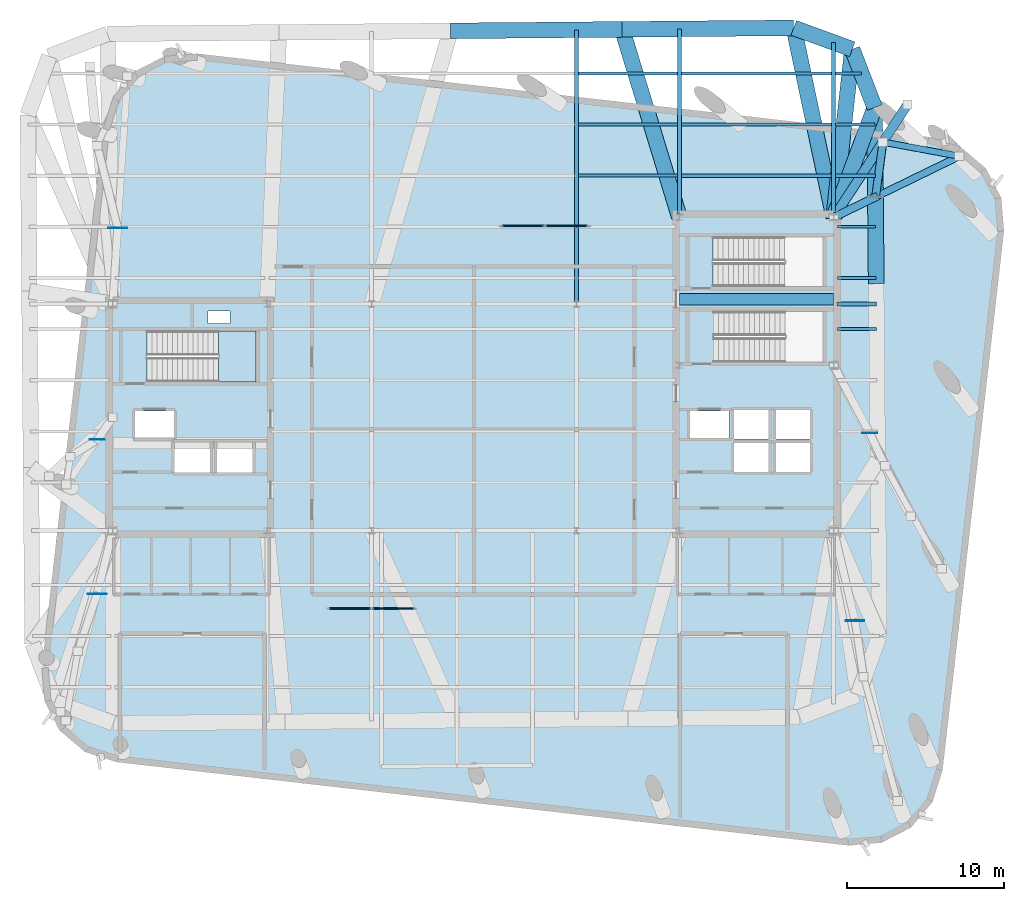
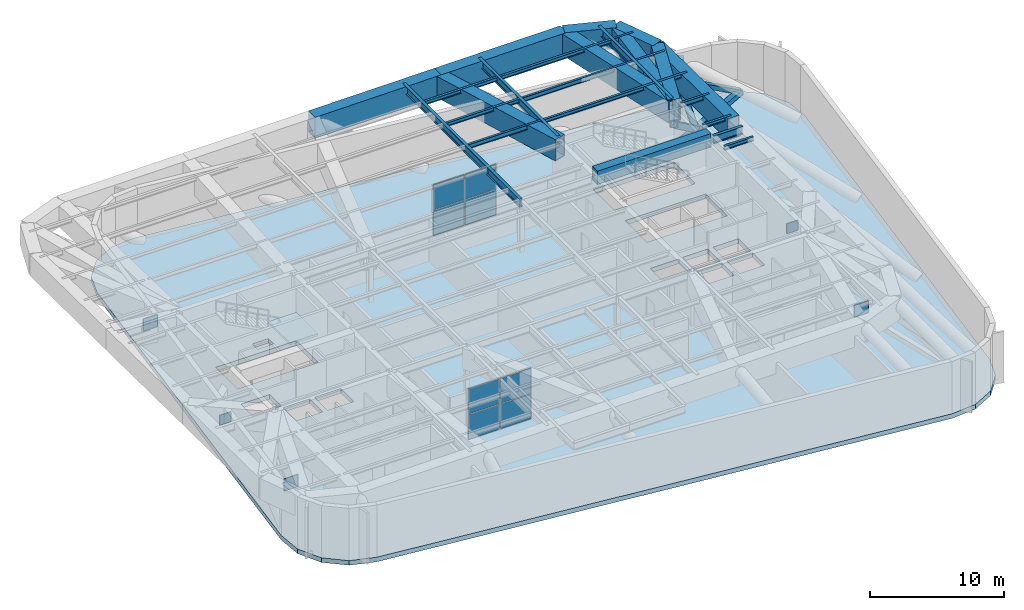
# One storey, part 6 of 12: 26 beams, 13 plates, 5 members, 2 slabs, 3 elements without a shape of their own.
"""IFC4 building model written with IfcOpenShell, lengths in metres."""

from ifc_helpers import new_model, si_unit, direction, frame, origin, origin_2d, place, context, subcontext, project, spatial, polyline, rectangle, hollow_rectangle, hollow_circle, i_section, outline, extrude, material, layer, layer_set, material_profile, profile_set, type_object, element, aggregate, save


model = new_model("IFC4")

# Units and contexts
model_context = context("Model", 3, precision=1e-05, world=origin(), true_north=direction((0.0, 1.0)))
body_context = subcontext(model_context, "Body", "Model", "MODEL_VIEW")
ifc_project = project(units=[si_unit("LENGTHUNIT", "METRE"), si_unit("AREAUNIT", "SQUARE_METRE"), si_unit("VOLUMEUNIT", "CUBIC_METRE"), si_unit("PLANEANGLEUNIT", "RADIAN"), si_unit("MASSUNIT", "GRAM", prefix="KILO")], contexts=[model_context])

# Site, building, storey
site_placement = place(None, origin())
site = spatial("IfcSite", under=ifc_project, at=site_placement, CompositionType="ELEMENT")
building_placement = place(site_placement, origin())
building = spatial("IfcBuilding", under=site, at=building_placement, Name="Kolvaren Arena Tower", CompositionType="ELEMENT")
storey_placement = place(building_placement, frame((0.0, 0.0, 269.699951171875)))
storey = spatial("IfcBuildingStorey", under=building, at=storey_placement, Name="L66", CompositionType="ELEMENT", Elevation=269.699951171875)

# Beams
ifc_material_1 = material(Name="Steel CSA G40.21 350W", Category="steel")
ifc_material_profile_1 = material_profile(ifc_material_1, i_section(OverallWidth=0.180908203125, OverallDepth=0.4169921875, WebThickness=0.010986328125, FlangeThickness=0.018310546875, FilletRadius=0.011962890625, at=origin_2d()), Name="W410x85")
ifc_profile_set_1 = profile_set([ifc_material_profile_1], Name="Steel CSA G40.21 350W")
beam_type_1 = type_object("IfcBeamType", Name="BEAM-F3", PredefinedType="BEAM", material=ifc_profile_set_1)
beam_1_placement = place(storey_placement, frame((60.594970703125, 38.75, 4.54150390625), z_axis=(1.0, 0.0, 0.0), x_axis=(0.0, 1.0, 0.0)))
element("IfcBeam", 1, at=beam_1_placement, inside=storey, type_object=beam_type_1, Name="Composite Floor Beam (L66)", PredefinedType="BEAM", context=body_context, shape_type="SweptSolid", body=[
    extrude(i_section(OverallWidth=0.180908203125, OverallDepth=0.4169921875, WebThickness=0.010986328125, FlangeThickness=0.018310546875, FilletRadius=0.011962890625, at=origin_2d()), origin(), (0.0, 0.0, 1.0), 2.423583984375),
])
beam_2_placement = place(storey_placement, frame((44.12744140625, 42.0, 4.54150390625), z_axis=(1.0, 0.0, 0.0), x_axis=(0.0, 1.0, 0.0)))
element("IfcBeam", 2, at=beam_2_placement, inside=storey, type_object=beam_type_1, Name="Composite Floor Beam (L66)", PredefinedType="BEAM", context=body_context, shape_type="SweptSolid", body=[
    extrude(i_section(OverallWidth=0.180908203125, OverallDepth=0.4169921875, WebThickness=0.010986328125, FlangeThickness=0.018310546875, FilletRadius=0.011962890625, at=origin_2d()), origin(), (0.0, 0.0, 1.0), 6.295166015625),
])
beam_3_placement = place(storey_placement, frame((50.677490234375, 45.25, 4.54150390625), z_axis=(1.0, 0.0, 0.0), x_axis=(0.0, 1.0, 0.0)))
element("IfcBeam", 3, at=beam_3_placement, inside=storey, type_object=beam_type_1, Name="Composite Floor Beam (L66)", PredefinedType="BEAM", context=body_context, shape_type="SweptSolid", body=[
    extrude(i_section(OverallWidth=0.180908203125, OverallDepth=0.4169921875, WebThickness=0.010986328125, FlangeThickness=0.018310546875, FilletRadius=0.011962890625, at=origin_2d()), origin(), (0.0, 0.0, 1.0), 9.544921875),
])
beam_4_placement = place(storey_placement, frame((60.4775390625, 48.5, 4.54150390625), z_axis=(1.0, 0.0, 0.0), x_axis=(0.0, 1.0, 0.0)))
element("IfcBeam", 4, at=beam_4_placement, inside=storey, type_object=beam_type_1, Name="Composite Floor Beam (L66)", PredefinedType="BEAM", context=body_context, shape_type="SweptSolid", body=[
    extrude(i_section(OverallWidth=0.180908203125, OverallDepth=0.4169921875, WebThickness=0.010986328125, FlangeThickness=0.018310546875, FilletRadius=0.011962890625, at=origin_2d()), origin(), (0.0, 0.0, 1.0), 1.640869140625),
])

# Members
ifc_material_2 = material(Name="Steel CSA G40.21 350WT", Category="steel")
ifc_material_profile_2 = material_profile(ifc_material_2, hollow_rectangle(XDim=0.449951171875, YDim=0.449951171875, WallThickness=0.02001953125, at=origin_2d()), Name="HSS 450x450x20")
ifc_profile_set_2 = profile_set([ifc_material_profile_2], Name="Steel CSA G40.21 350WT")
member_type_1 = type_object("IfcMemberType", Name="BELT-CHORD", PredefinedType="CHORD", material=ifc_profile_set_2)
member_1_placement = place(storey_placement, frame((60.35009765625, 39.35009765625, 0.35009765625), z_axis=(0.89905456446, 0.437836602084, 0.0), x_axis=(-0.437836602084, 0.89905456446, 0.0)))
element("IfcMember", 5, at=member_1_placement, inside=storey, type_object=member_type_1, Name="Belt Truss Bottom Chord 4 (L66)", PredefinedType="CHORD", context=body_context, shape_type="SweptSolid", body=[
    extrude(hollow_rectangle(XDim=0.449951171875, YDim=0.449951171875, WallThickness=0.02001953125, at=origin_2d()), origin(), (0.0, 0.0, 1.0), 8.87548828125),
])
ifc_material_profile_3 = material_profile(ifc_material_2, hollow_rectangle(XDim=0.39990234375, YDim=0.39990234375, WallThickness=0.01611328125, at=origin_2d()), Name="HSS 400x400x16")
ifc_profile_set_3 = profile_set([ifc_material_profile_3], Name="Steel CSA G40.21 350WT")
member_type_2 = type_object("IfcMemberType", Name="BELT-DIAG", PredefinedType="BRACE", material=ifc_profile_set_3)
member_2_placement = place(storey_placement, frame((63.474853515625, 44.133544921875, 2.47998046875), z_axis=(0.902899338996, -0.166912646223, -0.396122395444), x_axis=(0.181782902637, 0.983338688504, 0.0)))
element("IfcMember", 6, at=member_2_placement, inside=storey, type_object=member_type_2, Name="Belt Truss Warren Diagonal C 4 (L66)", PredefinedType="BRACE", context=body_context, shape_type="SweptSolid", body=[
    extrude(hollow_rectangle(XDim=0.39990234375, YDim=0.39990234375, WallThickness=0.01611328125, at=origin_2d()), origin(), (0.0, 0.0, 1.0), 5.376708984375),
])

# Beam
ifc_material_3 = material(Name="Concrete 60 MPa", Category="concrete")
ifc_material_profile_4 = material_profile(ifc_material_3, rectangle(XDim=0.75, YDim=1.199951171875, at=origin_2d()), Name="RC-750x1200")
ifc_profile_set_4 = profile_set([ifc_material_profile_4], Name="Concrete 60 MPa")
beam_type_2 = type_object("IfcBeamType", Name="CB-CORE-2", PredefinedType="BEAM", material=ifc_profile_set_4)
beam_5_placement = place(storey_placement, frame((50.550048828125, 34.14990234375, 4.420166015625), z_axis=(1.0, 0.0, 0.0), x_axis=(0.0, 1.0, 0.0)))
element("IfcBeam", 7, at=beam_5_placement, inside=storey, type_object=beam_type_2, Name="East Core Coupling Beam (L66)", PredefinedType="BEAM", context=body_context, shape_type="SweptSolid", body=[
    extrude(rectangle(XDim=0.75, YDim=1.199951171875, at=origin_2d()), origin(), (0.0, 0.0, 1.0), 9.800048828125),
])

# Member
ifc_material_profile_5 = material_profile(ifc_material_2, hollow_circle(Radius=0.25390625, WallThickness=0.02490234375, at=origin_2d()), Name="CHS 508x25")
ifc_profile_set_5 = profile_set([ifc_material_profile_5], Name="Steel CSA G40.21 350WT")
member_type_3 = type_object("IfcMemberType", Name="EXO-BRACE1", PredefinedType="BRACE", material=ifc_profile_set_5)
member_3_placement = place(storey_placement, frame((63.010009765625, 40.6455078125, 0.35009765625), z_axis=(0.113011111819, 0.847998820674, 0.51780931697), x_axis=(-0.991236381822, 0.132100095961, 0.0)))
element("IfcMember", 8, at=member_3_placement, inside=storey, type_object=member_type_3, Name="Outrigger Warren Diagonal B 4 (L66)", PredefinedType="BRACE", context=body_context, shape_type="SweptSolid", body=[
    extrude(hollow_circle(Radius=0.25390625, WallThickness=0.02490234375, at=origin_2d()), origin(), (0.0, 0.0, 1.0), 4.11328125),
])

# Beams
ifc_material_profile_6 = material_profile(ifc_material_1, i_section(OverallWidth=0.2548828125, OverallDepth=0.695068359375, WebThickness=0.01708984375, FlangeThickness=0.02978515625, FilletRadius=0.01611328125, at=origin_2d()), Name="W690x217")
ifc_profile_set_6 = profile_set([ifc_material_profile_6], Name="Steel CSA G40.21 350W")
beam_type_3 = type_object("IfcBeamType", Name="GIRD-T2", PredefinedType="BEAM", material=ifc_profile_set_6)
beam_6_placement = place(storey_placement, frame((60.554931640625, 33.85009765625, 4.402587890625), z_axis=(1.0, 0.0, 0.0), x_axis=(0.0, 1.0, 0.0)))
element("IfcBeam", 9, at=beam_6_placement, inside=storey, type_object=beam_type_3, Name="Primary Floor Girder (L66)", PredefinedType="BEAM", context=body_context, shape_type="SweptSolid", body=[
    extrude(i_section(OverallWidth=0.2548828125, OverallDepth=0.695068359375, WebThickness=0.01708984375, FlangeThickness=0.02978515625, FilletRadius=0.01611328125, at=origin_2d()), origin(), (0.0, 0.0, 1.0), 2.50634765625),
])
beam_7_placement = place(storey_placement, frame((44.0, 33.85009765625, 4.402587890625), z_axis=(0.0, 1.0, 0.0), x_axis=(-1.0, 0.0, 0.0)))
element("IfcBeam", 10, at=beam_7_placement, inside=storey, type_object=beam_type_3, Name="Primary Floor Girder (L66)", PredefinedType="BEAM", context=body_context, shape_type="SweptSolid", body=[
    extrude(i_section(OverallWidth=0.2548828125, OverallDepth=0.695068359375, WebThickness=0.01708984375, FlangeThickness=0.02978515625, FilletRadius=0.01611328125, at=origin_2d()), origin(), (0.0, 0.0, 1.0), 17.418701171875),
])
beam_8_placement = place(storey_placement, frame((50.550048828125, 39.554931640625, 4.402587890625), z_axis=(0.0, 1.0, 0.0), x_axis=(-1.0, 0.0, 0.0)))
element("IfcBeam", 11, at=beam_8_placement, inside=storey, type_object=beam_type_3, Name="Primary Floor Girder (L66)", PredefinedType="BEAM", context=body_context, shape_type="SweptSolid", body=[
    extrude(i_section(OverallWidth=0.2548828125, OverallDepth=0.695068359375, WebThickness=0.01708984375, FlangeThickness=0.02978515625, FilletRadius=0.01611328125, at=origin_2d()), origin(), (0.0, 0.0, 1.0), 11.771240234375),
])
beam_9_placement = place(storey_placement, frame((60.35009765625, 39.554931640625, 4.402587890625), z_axis=(0.0, 1.0, 0.0), x_axis=(-1.0, 0.0, 0.0)))
element("IfcBeam", 12, at=beam_9_placement, inside=storey, type_object=beam_type_3, Name="Primary Floor Girder (L66)", PredefinedType="BEAM", context=body_context, shape_type="SweptSolid", body=[
    extrude(i_section(OverallWidth=0.2548828125, OverallDepth=0.695068359375, WebThickness=0.01708984375, FlangeThickness=0.02978515625, FilletRadius=0.01611328125, at=origin_2d()), origin(), (0.0, 0.0, 1.0), 10.90625),
])
ifc_material_profile_7 = material_profile(ifc_material_1, i_section(OverallWidth=0.202880859375, OverallDepth=0.346923828125, WebThickness=0.0078125, FlangeThickness=0.013427734375, FilletRadius=0.010986328125, at=origin_2d()), Name="W360x64")
ifc_profile_set_7 = profile_set([ifc_material_profile_7], Name="Steel CSA G40.21 350W")
beam_type_4 = type_object("IfcBeamType", Name="JOIST-01", PredefinedType="JOIST", material=ifc_profile_set_7)
beam_10_placement = place(storey_placement, frame((60.594970703125, 32.25, 4.57666015625), z_axis=(1.0, 0.0, 0.0), x_axis=(0.0, 1.0, 0.0)))
element("IfcBeam", 13, at=beam_10_placement, inside=storey, type_object=beam_type_4, Name="Composite Floor Joist (L66)", PredefinedType="JOIST", context=body_context, shape_type="SweptSolid", body=[
    extrude(i_section(OverallWidth=0.202880859375, OverallDepth=0.346923828125, WebThickness=0.0078125, FlangeThickness=0.013427734375, FilletRadius=0.010986328125, at=origin_2d()), origin(), (0.0, 0.0, 1.0), 2.480224609375),
])
beam_11_placement = place(storey_placement, frame((60.594970703125, 35.5, 4.57666015625), z_axis=(1.0, 0.0, 0.0), x_axis=(0.0, 1.0, 0.0)))
element("IfcBeam", 14, at=beam_11_placement, inside=storey, type_object=beam_type_4, Name="Composite Floor Joist (L66)", PredefinedType="JOIST", context=body_context, shape_type="SweptSolid", body=[
    extrude(i_section(OverallWidth=0.202880859375, OverallDepth=0.346923828125, WebThickness=0.0078125, FlangeThickness=0.013427734375, FilletRadius=0.010986328125, at=origin_2d()), origin(), (0.0, 0.0, 1.0), 2.451904296875),
])
beam_12_placement = place(storey_placement, frame((50.677490234375, 42.0, 4.57666015625), z_axis=(1.0, 0.0, 0.0), x_axis=(0.0, 1.0, 0.0)))
element("IfcBeam", 15, at=beam_12_placement, inside=storey, type_object=beam_type_4, Name="Composite Floor Joist (L66)", PredefinedType="JOIST", context=body_context, shape_type="SweptSolid", body=[
    extrude(i_section(OverallWidth=0.202880859375, OverallDepth=0.346923828125, WebThickness=0.0078125, FlangeThickness=0.013427734375, FilletRadius=0.010986328125, at=origin_2d()), origin(), (0.0, 0.0, 1.0), 9.544921875),
])
beam_13_placement = place(storey_placement, frame((60.4775390625, 42.0, 4.57666015625), z_axis=(1.0, 0.0, 0.0), x_axis=(0.0, 1.0, 0.0)))
element("IfcBeam", 16, at=beam_13_placement, inside=storey, type_object=beam_type_4, Name="Composite Floor Joist (L66)", PredefinedType="JOIST", context=body_context, shape_type="SweptSolid", body=[
    extrude(i_section(OverallWidth=0.202880859375, OverallDepth=0.346923828125, WebThickness=0.0078125, FlangeThickness=0.013427734375, FilletRadius=0.010986328125, at=origin_2d()), origin(), (0.0, 0.0, 1.0), 2.5126953125),
])
beam_14_placement = place(storey_placement, frame((44.12744140625, 45.25, 4.57666015625), z_axis=(1.0, 0.0, 0.0), x_axis=(0.0, 1.0, 0.0)))
element("IfcBeam", 17, at=beam_14_placement, inside=storey, type_object=beam_type_4, Name="Composite Floor Joist (L66)", PredefinedType="JOIST", context=body_context, shape_type="SweptSolid", body=[
    extrude(i_section(OverallWidth=0.202880859375, OverallDepth=0.346923828125, WebThickness=0.0078125, FlangeThickness=0.013427734375, FilletRadius=0.010986328125, at=origin_2d()), origin(), (0.0, 0.0, 1.0), 6.295166015625),
])
beam_15_placement = place(storey_placement, frame((60.4775390625, 45.25, 4.57666015625), z_axis=(1.0, 0.0, 0.0), x_axis=(0.0, 1.0, 0.0)))
element("IfcBeam", 18, at=beam_15_placement, inside=storey, type_object=beam_type_4, Name="Composite Floor Joist (L66)", PredefinedType="JOIST", context=body_context, shape_type="SweptSolid", body=[
    extrude(i_section(OverallWidth=0.202880859375, OverallDepth=0.346923828125, WebThickness=0.0078125, FlangeThickness=0.013427734375, FilletRadius=0.010986328125, at=origin_2d()), origin(), (0.0, 0.0, 1.0), 2.484375),
])
beam_16_placement = place(storey_placement, frame((44.12744140625, 48.5, 4.57666015625), z_axis=(1.0, 0.0, 0.0), x_axis=(0.0, 1.0, 0.0)))
element("IfcBeam", 19, at=beam_16_placement, inside=storey, type_object=beam_type_4, Name="Composite Floor Joist (L66)", PredefinedType="JOIST", context=body_context, shape_type="SweptSolid", body=[
    extrude(i_section(OverallWidth=0.202880859375, OverallDepth=0.346923828125, WebThickness=0.0078125, FlangeThickness=0.013427734375, FilletRadius=0.010986328125, at=origin_2d()), origin(), (0.0, 0.0, 1.0), 6.295166015625),
])
beam_17_placement = place(storey_placement, frame((50.677490234375, 48.5, 4.57666015625), z_axis=(1.0, 0.0, 0.0), x_axis=(0.0, 1.0, 0.0)))
element("IfcBeam", 20, at=beam_17_placement, inside=storey, type_object=beam_type_4, Name="Composite Floor Joist (L66)", PredefinedType="JOIST", context=body_context, shape_type="SweptSolid", body=[
    extrude(i_section(OverallWidth=0.202880859375, OverallDepth=0.346923828125, WebThickness=0.0078125, FlangeThickness=0.013427734375, FilletRadius=0.010986328125, at=origin_2d()), origin(), (0.0, 0.0, 1.0), 9.544921875),
])

# Members
ifc_material_profile_8 = material_profile(ifc_material_2, hollow_rectangle(XDim=0.60009765625, YDim=0.60009765625, WallThickness=0.02490234375, at=origin_2d()), Name="HSS 600x600x25")
ifc_profile_set_8 = profile_set([ifc_material_profile_8], Name="Steel CSA G40.21 350WT")
member_type_4 = type_object("IfcMemberType", Name="OUT-CHORD", PredefinedType="CHORD", material=ifc_profile_set_8)
member_4_placement = place(storey_placement, frame((60.35009765625, 39.35009765625, 2.47998046875), z_axis=(0.546899338009, 0.837198372003, 0.0), x_axis=(-0.837198372003, 0.546899338009, 0.0)))
element("IfcMember", 21, at=member_4_placement, inside=storey, type_object=member_type_4, Name="Outrigger Top Chord 4 (L66)", PredefinedType="CHORD", context=body_context, shape_type="SweptSolid", body=[
    extrude(hollow_rectangle(XDim=0.60009765625, YDim=0.60009765625, WallThickness=0.02490234375, at=origin_2d()), origin(), (0.0, 0.0, 1.0), 8.570556640625),
])
ifc_material_profile_9 = material_profile(ifc_material_2, hollow_rectangle(XDim=0.5, YDim=0.5, WallThickness=0.02197265625, at=origin_2d()), Name="HSS 500x500x22")
ifc_profile_set_9 = profile_set([ifc_material_profile_9], Name="Steel CSA G40.21 350WT")
member_type_5 = type_object("IfcMemberType", Name="OUT-DIAG", PredefinedType="BRACE", material=ifc_profile_set_9)
member_5_placement = place(storey_placement, frame((60.35009765625, 39.35009765625, 2.47998046875), z_axis=(0.729643963332, 0.355345651165, -0.584250934934), x_axis=(-0.437848007885, 0.899049009783, 0.0)))
element("IfcMember", 22, at=member_5_placement, inside=storey, type_object=member_type_5, Name="Outrigger Warren Diagonal A 4 (L66)", PredefinedType="BRACE", context=body_context, shape_type="SweptSolid", body=[
    extrude(hollow_rectangle(XDim=0.5, YDim=0.5, WallThickness=0.02197265625, at=origin_2d()), origin(), (0.0, 0.0, 1.0), 3.6455078125),
])

# Beams
ifc_material_profile_10 = material_profile(ifc_material_2, hollow_rectangle(XDim=1.0, YDim=1.919921875, WallThickness=0.044921875, at=origin_2d()), Name="BOX 1000x1920x45")
ifc_profile_set_10 = profile_set([ifc_material_profile_10], Name="Steel CSA G40.21 350WT")
beam_type_5 = type_object("IfcBeamType", Name="TG-MEGA", PredefinedType="USERDEFINED", material=ifc_profile_set_10)
beam_18_placement = place(storey_placement, frame((63.050048828125, 35.134521484375, 3.7900390625), z_axis=(-0.008719394723, 0.999961985355, 0.0), x_axis=(-0.999961985355, -0.008719394723, 0.0)))
element("IfcBeam", 23, at=beam_18_placement, inside=storey, type_object=beam_type_5, Name="Perimeter Transfer Ring Girder 09 (L66)", ObjectType="TRANSFER GIRDER", PredefinedType="USERDEFINED", context=body_context, shape_type="SweptSolid", body=[
    extrude(hollow_rectangle(XDim=1.0, YDim=1.919921875, WallThickness=0.044921875, at=origin_2d()), origin(), (0.0, 0.0, 1.0), 11.199951171875),
])
beam_19_placement = place(storey_placement, frame((62.952392578125, 46.333984375, 3.7900390625), z_axis=(-0.359383792094, 0.933189846698, 0.0), x_axis=(-0.933189846698, -0.359383792094, 0.0)))
element("IfcBeam", 24, at=beam_19_placement, inside=storey, type_object=beam_type_5, Name="Perimeter Transfer Ring Girder 10 (L66)", ObjectType="TRANSFER GIRDER", PredefinedType="USERDEFINED", context=body_context, shape_type="SweptSolid", body=[
    extrude(hollow_rectangle(XDim=1.0, YDim=1.919921875, WallThickness=0.044921875, at=origin_2d()), origin(), (0.0, 0.0, 1.0), 3.961181640625),
])
beam_20_placement = place(storey_placement, frame((62.952392578125, 46.333984375, 3.7900390625), z_axis=(-0.349162604734, -0.93706215133, 0.0), x_axis=(0.93706215133, -0.349162604734, 0.0)))
element("IfcBeam", 25, at=beam_20_placement, inside=storey, type_object=beam_type_5, Name="Cantilever Block Transfer Girder 10 (L66)", ObjectType="TRANSFER GIRDER", PredefinedType="USERDEFINED", context=body_context, shape_type="SweptSolid", body=[
    extrude(hollow_rectangle(XDim=1.0, YDim=1.919921875, WallThickness=0.044921875, at=origin_2d()), origin(), (0.0, 0.0, 1.0), 7.452880859375),
])
beam_21_placement = place(storey_placement, frame((61.52880859375, 50.030517578125, 3.7900390625), z_axis=(-0.939313819882, 0.343059102458, 0.0), x_axis=(-0.343059102458, -0.939313819882, 0.0)))
element("IfcBeam", 26, at=beam_21_placement, inside=storey, type_object=beam_type_5, Name="Perimeter Transfer Ring Girder 11 (L66)", ObjectType="TRANSFER GIRDER", PredefinedType="USERDEFINED", context=body_context, shape_type="SweptSolid", body=[
    extrude(hollow_rectangle(XDim=1.0, YDim=1.919921875, WallThickness=0.044921875, at=origin_2d()), origin(), (0.0, 0.0, 1.0), 3.961181640625),
])
beam_22_placement = place(storey_placement, frame((61.52880859375, 50.030517578125, 3.7900390625), z_axis=(-0.109695841864, -0.993965201744, 0.0), x_axis=(0.993965201744, -0.109695841864, 0.0)))
element("IfcBeam", 27, at=beam_22_placement, inside=storey, type_object=beam_type_5, Name="Cantilever Block Transfer Girder 11 (L66)", ObjectType="TRANSFER GIRDER", PredefinedType="USERDEFINED", context=body_context, shape_type="SweptSolid", body=[
    extrude(hollow_rectangle(XDim=1.0, YDim=1.919921875, WallThickness=0.044921875, at=origin_2d()), origin(), (0.0, 0.0, 1.0), 10.745361328125),
])
beam_23_placement = place(storey_placement, frame((57.80810546875, 51.389404296875, 3.7900390625), z_axis=(-0.999961846999, -0.008735247404, 0.0), x_axis=(0.008735247404, -0.999961846999, 0.0)))
element("IfcBeam", 28, at=beam_23_placement, inside=storey, type_object=beam_type_5, Name="Perimeter Transfer Ring Girder 12 (L66)", ObjectType="TRANSFER GIRDER", PredefinedType="USERDEFINED", context=body_context, shape_type="SweptSolid", body=[
    extrude(hollow_rectangle(XDim=1.0, YDim=1.919921875, WallThickness=0.044921875, at=origin_2d()), origin(), (0.0, 0.0, 1.0), 10.900146484375),
])
beam_24_placement = place(storey_placement, frame((57.80810546875, 51.389404296875, 3.7900390625), z_axis=(0.206586418651, -0.978428357944, 0.0), x_axis=(0.978428357944, 0.206586418651, 0.0)))
element("IfcBeam", 29, at=beam_24_placement, inside=storey, type_object=beam_type_5, Name="Cantilever Block Transfer Girder 12 (L66)", ObjectType="TRANSFER GIRDER", PredefinedType="USERDEFINED", context=body_context, shape_type="SweptSolid", body=[
    extrude(hollow_rectangle(XDim=1.0, YDim=1.919921875, WallThickness=0.044921875, at=origin_2d()), origin(), (0.0, 0.0, 1.0), 12.3046875),
])
beam_25_placement = place(storey_placement, frame((46.908447265625, 51.294189453125, 3.7900390625), z_axis=(-0.999962042393, -0.008712851036, 0.0), x_axis=(0.008712851036, -0.999962042393, 0.0)))
element("IfcBeam", 30, at=beam_25_placement, inside=storey, type_object=beam_type_5, Name="Perimeter Transfer Ring Girder 13 (L66)", ObjectType="TRANSFER GIRDER", PredefinedType="USERDEFINED", context=body_context, shape_type="SweptSolid", body=[
    extrude(hollow_rectangle(XDim=1.0, YDim=1.919921875, WallThickness=0.044921875, at=origin_2d()), origin(), (0.0, 0.0, 1.0), 10.900146484375),
])
beam_26_placement = place(storey_placement, frame((46.908447265625, 51.294189453125, 3.7900390625), z_axis=(0.291633832757, -0.956530034861, 0.0), x_axis=(0.956530034861, 0.291633832757, 0.0)))
element("IfcBeam", 31, at=beam_26_placement, inside=storey, type_object=beam_type_5, Name="Cantilever Block Transfer Girder 13 (L66)", ObjectType="TRANSFER GIRDER", PredefinedType="USERDEFINED", context=body_context, shape_type="SweptSolid", body=[
    extrude(hollow_rectangle(XDim=1.0, YDim=1.919921875, WallThickness=0.044921875, at=origin_2d()), origin(), (0.0, 0.0, 1.0), 12.48681640625),
])

# Curtain wall, plates
ifc_material_4 = material(Name="Anodised aluminium unitised curtain wall", Category="aluminium")
curtain_wall_type = type_object("IfcCurtainWallType", Name="CW-SYS-05", PredefinedType="USERDEFINED", material=ifc_material_4)
curtain_wall_1_placement = place(storey_placement, origin())
curtain_wall_1 = element("IfcCurtainWall", 32, at=curtain_wall_1_placement, inside=storey, type_object=curtain_wall_type, Name="Mechanical Plant Louvre Curtain Wall (L66)", ObjectType="ACOUSTIC LOUVRE SCREEN", PredefinedType="USERDEFINED")
ifc_material_5 = material(Name="Storm-proof anodised aluminium louvre panel", Category="aluminium")
ifc_layer_1 = layer(ifc_material_5, 0.074951171875)
ifc_layer_set_1 = layer_set([ifc_layer_1], Name="Storm-proof anodised aluminium louvre panel")
plate_type_1 = type_object("IfcPlateType", Name="CWP-LVR1", PredefinedType="CURTAIN_PANEL", material=ifc_layer_set_1)
plate_1_placement = place(storey_placement, frame((29.625, 14.5, 0.080078125), z_axis=(0.0, 0.0, 1.0), x_axis=(1.0, 0.0, 0.0)))
plate_1 = element("IfcPlate", 33, at=plate_1_placement, type_object=plate_type_1, Name="CW5 panel 1.1", PredefinedType="CURTAIN_PANEL", context=body_context, shape_type="SweptSolid", body=[
    extrude(rectangle(XDim=2.64990234375, YDim=0.074951171875, at=origin_2d()), origin(), (0.0, 0.0, 1.0), 2.2548828125),
])
plate_2_placement = place(storey_placement, frame((29.625, 14.5, 2.4150390625), z_axis=(0.0, 0.0, 1.0), x_axis=(1.0, 0.0, 0.0)))
plate_2 = element("IfcPlate", 34, at=plate_2_placement, type_object=plate_type_1, Name="CW5 panel 1.2", PredefinedType="CURTAIN_PANEL", context=body_context, shape_type="SweptSolid", body=[
    extrude(rectangle(XDim=2.64990234375, YDim=0.074951171875, at=origin_2d()), origin(), (0.0, 0.0, 1.0), 2.2548828125),
])
plate_3_placement = place(storey_placement, frame((32.375, 14.5, 0.080078125), z_axis=(0.0, 0.0, 1.0), x_axis=(1.0, 0.0, 0.0)))
plate_3 = element("IfcPlate", 35, at=plate_3_placement, type_object=plate_type_1, Name="CW5 panel 2.1", PredefinedType="CURTAIN_PANEL", context=body_context, shape_type="SweptSolid", body=[
    extrude(rectangle(XDim=2.64990234375, YDim=0.074951171875, at=origin_2d()), origin(), (0.0, 0.0, 1.0), 2.2548828125),
])
plate_4_placement = place(storey_placement, frame((32.375, 14.5, 2.4150390625), z_axis=(0.0, 0.0, 1.0), x_axis=(1.0, 0.0, 0.0)))
plate_4 = element("IfcPlate", 36, at=plate_4_placement, type_object=plate_type_1, Name="CW5 panel 2.2", PredefinedType="CURTAIN_PANEL", context=body_context, shape_type="SweptSolid", body=[
    extrude(rectangle(XDim=2.64990234375, YDim=0.074951171875, at=origin_2d()), origin(), (0.0, 0.0, 1.0), 2.2548828125),
])
aggregate(curtain_wall_1, [plate_1, plate_2, plate_3, plate_4])

curtain_wall_2_placement = place(storey_placement, origin())
curtain_wall_2 = element("IfcCurtainWall", 37, at=curtain_wall_2_placement, inside=storey, type_object=curtain_wall_type, Name="Mechanical Plant Louvre Curtain Wall (L66)", ObjectType="ACOUSTIC LOUVRE SCREEN", PredefinedType="USERDEFINED")
plate_5_placement = place(storey_placement, frame((40.625, 38.800048828125, 0.080078125), z_axis=(0.0, 0.0, 1.0), x_axis=(1.0, 0.0, 0.0)))
plate_5 = element("IfcPlate", 38, at=plate_5_placement, type_object=plate_type_1, Name="CW5 panel 1.1", PredefinedType="CURTAIN_PANEL", context=body_context, shape_type="SweptSolid", body=[
    extrude(rectangle(XDim=2.64990234375, YDim=0.074951171875, at=origin_2d()), origin(), (0.0, 0.0, 1.0), 2.2548828125),
])
plate_6_placement = place(storey_placement, frame((40.625, 38.800048828125, 2.4150390625), z_axis=(0.0, 0.0, 1.0), x_axis=(1.0, 0.0, 0.0)))
plate_6 = element("IfcPlate", 39, at=plate_6_placement, type_object=plate_type_1, Name="CW5 panel 1.2", PredefinedType="CURTAIN_PANEL", context=body_context, shape_type="SweptSolid", body=[
    extrude(rectangle(XDim=2.64990234375, YDim=0.074951171875, at=origin_2d()), origin(), (0.0, 0.0, 1.0), 2.2548828125),
])
plate_7_placement = place(storey_placement, frame((43.375, 38.800048828125, 0.080078125), z_axis=(0.0, 0.0, 1.0), x_axis=(1.0, 0.0, 0.0)))
plate_7 = element("IfcPlate", 40, at=plate_7_placement, type_object=plate_type_1, Name="CW5 panel 2.1", PredefinedType="CURTAIN_PANEL", context=body_context, shape_type="SweptSolid", body=[
    extrude(rectangle(XDim=2.64990234375, YDim=0.074951171875, at=origin_2d()), origin(), (0.0, 0.0, 1.0), 2.2548828125),
])
plate_8_placement = place(storey_placement, frame((43.375, 38.800048828125, 2.4150390625), z_axis=(0.0, 0.0, 1.0), x_axis=(1.0, 0.0, 0.0)))
plate_8 = element("IfcPlate", 41, at=plate_8_placement, type_object=plate_type_1, Name="CW5 panel 2.2", PredefinedType="CURTAIN_PANEL", context=body_context, shape_type="SweptSolid", body=[
    extrude(rectangle(XDim=2.64990234375, YDim=0.074951171875, at=origin_2d()), origin(), (0.0, 0.0, 1.0), 2.2548828125),
])
aggregate(curtain_wall_2, [plate_5, plate_6, plate_7, plate_8])

# Plates
ifc_layer_2 = layer(ifc_material_2, 0.0380859375)
ifc_layer_set_2 = layer_set([ifc_layer_2], Name="Steel CSA G40.21 350WT")
plate_type_2 = type_object("IfcPlateType", Name="PLT-GUS-B1", PredefinedType="USERDEFINED", material=ifc_layer_set_2)
for number, where, z_axis, x_axis, name in (
    (42, (13.56640625, 25.2265625, 0.2001953125), (0.0, 0.0, 1.0), (1.0, 0.0, 0.0), "Outrigger Truss Gusset Plate 5 (L66)"),
    (43, (62.6396484375, 25.641845703125, 0.2001953125), (0.0, 0.0, 1.0), (1.0, 0.0, 0.0), "Outrigger Truss Gusset Plate 6 (L66)"),
):
    element("IfcPlate", number, at=place(storey_placement, frame(where, z_axis=z_axis, x_axis=x_axis)), inside=storey, type_object=plate_type_2, Name=name, ObjectType="GUSSET PLATE", PredefinedType="USERDEFINED", context=body_context, shape_type="SweptSolid", body=[
        extrude(rectangle(XDim=0.949951171875, YDim=0.0380859375, at=origin_2d()), origin(), (0.0, 0.0, 1.0), 0.89990234375),
    ])
ifc_layer_3 = layer(ifc_material_2, 0.044921875)
ifc_layer_set_3 = layer_set([ifc_layer_3], Name="Steel CSA G40.21 350WT")
plate_type_3 = type_object("IfcPlateType", Name="PLT-GUS-O1", PredefinedType="USERDEFINED", material=ifc_layer_set_3)
for number, where, z_axis, x_axis, name in (
    (44, (13.55322265625, 15.42138671875, 0.199951171875), (0.0, 0.0, 1.0), (1.0, 0.0, 0.0), "Outrigger Truss Gusset Plate 1 (L66)"),
    (45, (14.859130859375, 38.67529296875, 0.199951171875), (0.0, 0.0, 1.0), (1.0, 0.0, 0.0), "Outrigger Truss Gusset Plate 2 (L66)"),
    (46, (61.7041015625, 13.724609375, 0.199951171875), (0.0, 0.0, 1.0), (1.0, 0.0, 0.0), "Outrigger Truss Gusset Plate 3 (L66)"),
):
    element("IfcPlate", number, at=place(storey_placement, frame(where, z_axis=z_axis, x_axis=x_axis)), inside=storey, type_object=plate_type_3, Name=name, ObjectType="GUSSET PLATE", PredefinedType="USERDEFINED", context=body_context, shape_type="SweptSolid", body=[
        extrude(rectangle(XDim=1.199951171875, YDim=0.044921875, at=origin_2d()), origin(), (0.0, 0.0, 1.0), 1.10009765625),
    ])

# Stair, slab
ifc_material_6 = material(Name="Concrete 45 MPa", Category="concrete")
stair_type = type_object("IfcStairType", Name="STAIR-CORE-165", PredefinedType="HALF_TURN_STAIR", material=ifc_material_6)
stair_placement = place(storey_placement, origin())
stair = element("IfcStair", 47, at=stair_placement, inside=storey, type_object=stair_type, Name="L66 ST-W1", PredefinedType="HALF_TURN_STAIR")
ifc_layer_4 = layer(ifc_material_6, 0.199951171875)
ifc_layer_set_4 = layer_set([ifc_layer_4], Name="Concrete 45 MPa")
slab_type_1 = type_object("IfcSlabType", Name="SLAB-LAND", PredefinedType="LANDING", material=ifc_layer_set_4)
slab_1_placement = place(storey_placement, frame((0.0, 0.0, 2.400146484375)))
slab_1 = element("IfcSlab", 48, at=slab_1_placement, type_object=slab_type_1, Name="ST-W1 landing 1", PredefinedType="LANDING", context=body_context, shape_type="SweptSolid", body=[
    extrude(outline(polyline([(21.256103515625, 28.89990234375), (23.659912109375, 28.89990234375), (23.659912109375, 32.1298828125), (21.256103515625, 32.1298828125), (21.256103515625, 28.89990234375)])), origin(), (0.0, 0.0, 1.0), 0.199951171875),
])
aggregate(stair, [slab_1])

# Slab
ifc_material_7 = material(Name="Concrete 50 MPa", Category="concrete")
ifc_layer_5 = layer(ifc_material_7, 0.419921875)
ifc_layer_set_5 = layer_set([ifc_layer_5], Name="Concrete 50 MPa")
slab_type_2 = type_object("IfcSlabType", Name="SLAB-PLANT", PredefinedType="FLOOR", material=ifc_layer_set_5)
slab_2_placement = place(storey_placement, frame((0.0, 0.0, -0.419921875)))
element("IfcSlab", 49, at=slab_2_placement, inside=storey, type_object=slab_type_2, Name="L66 Primary Structural Slab", PredefinedType="FLOOR", context=body_context, shape_type="SweptSolid", body=[
    extrude(outline(polyline([(61.285400390625, -0.553466796875), (63.38525390625, -0.37890625), (65.25830078125, 0.585693359375), (66.619873046875, 2.194091796875), (67.26220703125, 4.20068359375), (71.16748046875, 38.47900390625), (70.9931640625, 40.57861328125), (70.0283203125, 42.45166015625), (68.42041015625, 43.81298828125), (66.41357421875, 44.455322265625), (19.91455078125, 49.75341796875), (17.814697265625, 49.578857421875), (15.941650390625, 48.6142578125), (14.580078125, 47.006103515625), (13.93798828125, 44.99951171875), (10.032470703125, 10.72119140625), (10.206787109375, 8.621337890625), (11.171630859375, 6.748291015625), (12.77978515625, 5.386962890625), (14.786376953125, 4.74462890625), (61.285400390625, -0.553466796875)]), holes=[polyline([(20.739990234375, 23.135009765625), (18.4599609375, 23.135009765625), (18.4599609375, 25.06494140625), (20.739990234375, 25.06494140625), (20.739990234375, 23.135009765625)]), polyline([(21.159912109375, 23.135009765625), (21.159912109375, 25.06494140625), (23.43994140625, 25.06494140625), (23.43994140625, 23.135009765625), (21.159912109375, 23.135009765625)]), polyline([(56.2099609375, 23.18505859375), (54.030029296875, 23.18505859375), (54.030029296875, 25.014892578125), (56.2099609375, 25.014892578125), (56.2099609375, 23.18505859375)]), polyline([(56.669921875, 23.18505859375), (56.669921875, 25.014892578125), (58.85009765625, 25.014892578125), (58.85009765625, 23.18505859375), (56.669921875, 23.18505859375)]), polyline([(54.030029296875, 25.284912109375), (54.030029296875, 27.114990234375), (56.2099609375, 27.114990234375), (56.2099609375, 25.284912109375), (54.030029296875, 25.284912109375)]), polyline([(58.85009765625, 25.284912109375), (56.669921875, 25.284912109375), (56.669921875, 27.114990234375), (58.85009765625, 27.114990234375), (58.85009765625, 25.284912109375)]), polyline([(15.9599609375, 25.3349609375), (15.9599609375, 27.06494140625), (18.43994140625, 27.06494140625), (18.43994140625, 25.3349609375), (15.9599609375, 25.3349609375)]), polyline([(53.699951171875, 25.3349609375), (51.219970703125, 25.3349609375), (51.219970703125, 27.06494140625), (53.699951171875, 27.06494140625), (53.699951171875, 25.3349609375)]), polyline([(16.735107421875, 28.89990234375), (16.735107421875, 32.1298828125), (23.659912109375, 32.1298828125), (23.659912109375, 28.89990234375), (16.735107421875, 28.89990234375)]), polyline([(52.735107421875, 30.14990234375), (52.735107421875, 33.3798828125), (59.659912109375, 33.3798828125), (59.659912109375, 30.14990234375), (52.735107421875, 30.14990234375)]), polyline([(20.60009765625, 32.6201171875), (20.60009765625, 33.39990234375), (22.0, 33.39990234375), (22.0, 32.6201171875), (20.60009765625, 32.6201171875)]), polyline([(52.695068359375, 34.949951171875), (52.695068359375, 38.10009765625), (59.659912109375, 38.10009765625), (59.659912109375, 34.949951171875), (52.695068359375, 34.949951171875)])]), origin(), (0.0, 0.0, 1.0), 0.419921875),
])

save(model, "model.ifc")
